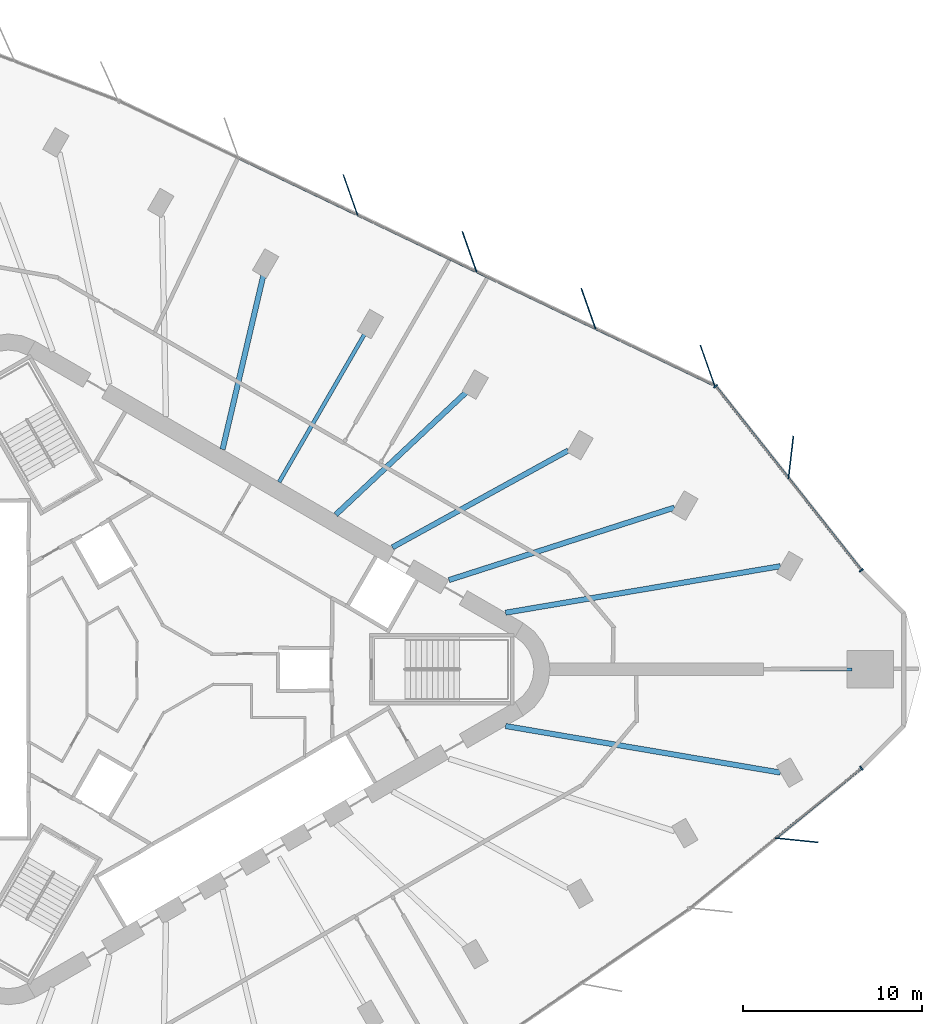
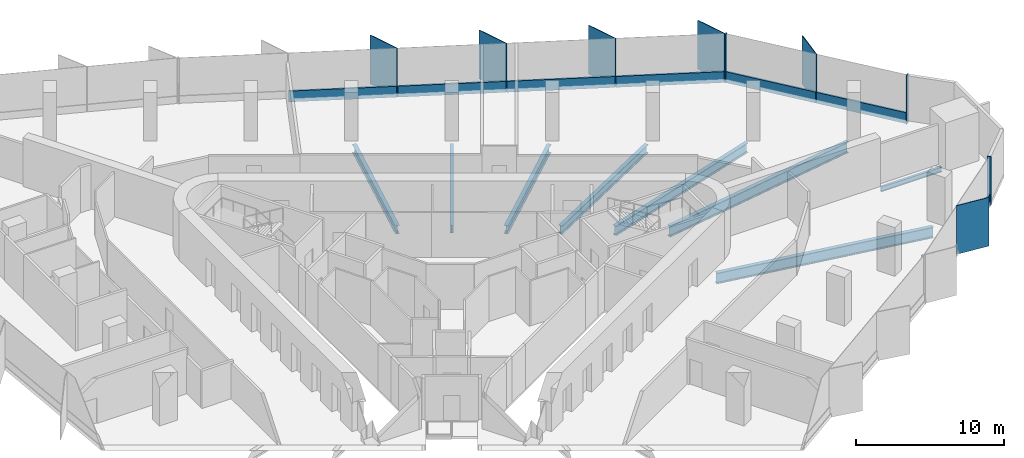
# One storey, part 5 of 13: 16 members, 8 beams, 3 elements without a shape of their own.
"""IFC4 building model written with IfcOpenShell, lengths in metres."""

from ifc_helpers import new_model, si_unit, direction, frame, origin, origin_2d, place, context, subcontext, project, spatial, rectangle, i_section, extrude, material, material_profile, profile_set, type_object, element, aggregate, save


model = new_model("IFC4")

# Units and contexts
model_context = context("Model", 3, precision=1e-05, world=origin(), true_north=direction((0.0, 1.0)))
body_context = subcontext(model_context, "Body", "Model", "MODEL_VIEW")
ifc_project = project(units=[si_unit("LENGTHUNIT", "METRE"), si_unit("AREAUNIT", "SQUARE_METRE"), si_unit("VOLUMEUNIT", "CUBIC_METRE"), si_unit("PLANEANGLEUNIT", "RADIAN"), si_unit("MASSUNIT", "GRAM", prefix="KILO")], contexts=[model_context])

# Site, building, storey
site_placement = place(None, origin())
site = spatial("IfcSite", under=ifc_project, at=site_placement, CompositionType="ELEMENT")
building_placement = place(site_placement, origin())
building = spatial("IfcBuilding", under=site, at=building_placement, Name="Tanit Gate Tower", CompositionType="ELEMENT")
storey_placement = place(building_placement, frame((0.0, 0.0, 193.199951171875)))
storey = spatial("IfcBuildingStorey", under=building, at=storey_placement, Name="L42", CompositionType="ELEMENT", Elevation=193.199951171875)

# Curtain wall, member
ifc_material_1 = material(Name="Aluminium bronze anodised and glass", Category="aluminium")
curtain_wall_type = type_object("IfcCurtainWallType", Name="Curtain wall typical mid", PredefinedType="NOTDEFINED", material=ifc_material_1)
curtain_wall_1_placement = place(storey_placement, origin())
curtain_wall_1 = element("IfcCurtainWall", 1, at=curtain_wall_1_placement, inside=storey, type_object=curtain_wall_type, Name="Curtain wall L42 NE1", PredefinedType="NOTDEFINED")
ifc_material_2 = material(Name="Aluminium bronze anodised", Category="aluminium")
ifc_material_profile_1 = material_profile(ifc_material_2, rectangle(XDim=2.39990234375, YDim=0.055908203125, at=origin_2d()), Name="56x2400 bronze fin mullion")
ifc_profile_set_1 = profile_set([ifc_material_profile_1], Name="Aluminium bronze anodised")
member_type_1 = type_object("IfcMemberType", Name="FIN MULLION 56x2400 bronze", PredefinedType="MULLION", material=ifc_profile_set_1)
member_1_placement = place(storey_placement, frame((34.67626953125, 11.859619140625, -0.300048828125), z_axis=(0.0, 0.0, 1.0), x_axis=(-0.115536669709, -0.993303215515, 0.0)))
member_1 = element("IfcMember", 2, at=member_1_placement, type_object=member_type_1, Name="Fin mullion L42 NE1.2", PredefinedType="MULLION", context=body_context, shape_type="SweptSolid", body=[
    extrude(rectangle(XDim=2.39990234375, YDim=0.055908203125, at=origin_2d()), origin(), (0.0, 0.0, 1.0), 4.0),
])

# Curtain wall, members
curtain_wall_2_placement = place(storey_placement, origin())
curtain_wall_2 = element("IfcCurtainWall", 3, at=curtain_wall_2_placement, inside=storey, type_object=curtain_wall_type, Name="Curtain wall L42 NE2", PredefinedType="NOTDEFINED")
member_2_placement = place(storey_placement, frame((30.011962890625, 16.995849609375, -0.300048828125), z_axis=(0.0, 0.0, 1.0), x_axis=(0.333220063881, -0.942849080727, 0.0)))
member_2 = element("IfcMember", 4, at=member_2_placement, type_object=member_type_1, Name="Fin mullion L42 NE2.1", PredefinedType="MULLION", context=body_context, shape_type="SweptSolid", body=[
    extrude(rectangle(XDim=2.39990234375, YDim=0.055908203125, at=origin_2d()), origin(), (0.0, 0.0, 1.0), 4.0),
])
member_3_placement = place(storey_placement, frame((23.353759765625, 20.1767578125, -0.300048828125), z_axis=(0.0, 0.0, 1.0), x_axis=(0.333220063881, -0.942849080727, 0.0)))
member_3 = element("IfcMember", 5, at=member_3_placement, type_object=member_type_1, Name="Fin mullion L42 NE2.2", PredefinedType="MULLION", context=body_context, shape_type="SweptSolid", body=[
    extrude(rectangle(XDim=2.39990234375, YDim=0.055908203125, at=origin_2d()), origin(), (0.0, 0.0, 1.0), 4.0),
])
member_4_placement = place(storey_placement, frame((16.69580078125, 23.357421875, -0.300048828125), z_axis=(0.0, 0.0, 1.0), x_axis=(0.333220063881, -0.942849080727, 0.0)))
member_4 = element("IfcMember", 6, at=member_4_placement, type_object=member_type_1, Name="Fin mullion L42 NE2.3", PredefinedType="MULLION", context=body_context, shape_type="SweptSolid", body=[
    extrude(rectangle(XDim=2.39990234375, YDim=0.055908203125, at=origin_2d()), origin(), (0.0, 0.0, 1.0), 4.0),
])
member_5_placement = place(storey_placement, frame((10.037841796875, 26.538330078125, -0.300048828125), z_axis=(0.0, 0.0, 1.0), x_axis=(0.333220063881, -0.942849080727, 0.0)))
member_5 = element("IfcMember", 7, at=member_5_placement, type_object=member_type_1, Name="Fin mullion L42 NE2.4", PredefinedType="MULLION", context=body_context, shape_type="SweptSolid", body=[
    extrude(rectangle(XDim=2.39990234375, YDim=0.055908203125, at=origin_2d()), origin(), (0.0, 0.0, 1.0), 4.0),
])

# Curtain wall, member
curtain_wall_3_placement = place(storey_placement, origin())
curtain_wall_3 = element("IfcCurtainWall", 8, at=curtain_wall_3_placement, inside=storey, type_object=curtain_wall_type, Name="Curtain wall L42 SE3", PredefinedType="NOTDEFINED")
member_6_placement = place(storey_placement, frame((34.999755859375, -9.555419921875, -0.300048828125), z_axis=(0.0, 0.0, 1.0), x_axis=(-0.994923483617, 0.10063429707, 0.0)))
member_6 = element("IfcMember", 9, at=member_6_placement, type_object=member_type_1, Name="Fin mullion L42 SE3.2", PredefinedType="MULLION", context=body_context, shape_type="SweptSolid", body=[
    extrude(rectangle(XDim=2.39990234375, YDim=0.055908203125, at=origin_2d()), origin(), (0.0, 0.0, 1.0), 4.0),
])

# Member
ifc_material_3 = material(Name="Aluminium bronze anodised", Category="aluminium")
ifc_material_profile_2 = material_profile(ifc_material_3, rectangle(XDim=0.260009765625, YDim=0.080078125, at=origin_2d()), Name="80x260 bronze mullion")
ifc_profile_set_2 = profile_set([ifc_material_profile_2], Name="Aluminium bronze anodised")
member_type_2 = type_object("IfcMemberType", Name="Mullion 80x260 typical mid", PredefinedType="MULLION", material=ifc_profile_set_2)
member_7_placement = place(storey_placement, frame((38.61474609375, 5.54150390625, -0.300048828125), z_axis=(0.0, 0.0, 1.0), x_axis=(-0.784068202092, -0.620674676838, 0.0)))
member_7 = element("IfcMember", 10, at=member_7_placement, type_object=member_type_2, Name="Mullion L42 NE1.1", PredefinedType="MULLION", context=body_context, shape_type="SweptSolid", body=[
    extrude(rectangle(XDim=0.260009765625, YDim=0.080078125, at=origin_2d()), origin(), (0.0, 0.0, 1.0), 4.0),
])

member_8_placement = place(storey_placement, frame((30.465576171875, 15.8359375, -0.300048828125), z_axis=(0.0, 0.0, 1.0), x_axis=(-0.784068202092, -0.620674676838, 0.0)))
member_8 = element("IfcMember", 11, at=member_8_placement, type_object=member_type_2, Name="Mullion L42 NE1.3", PredefinedType="MULLION", context=body_context, shape_type="SweptSolid", body=[
    extrude(rectangle(XDim=0.260009765625, YDim=0.080078125, at=origin_2d()), origin(), (0.0, 0.0, 1.0), 4.0),
])

member_9_placement = place(storey_placement, frame((38.61767578125, -5.5263671875, -0.300048828125), z_axis=(0.0, 0.0, 1.0), x_axis=(-0.63235794815, 0.774676335905, 0.0)))
member_9 = element("IfcMember", 12, at=member_9_placement, type_object=member_type_2, Name="Mullion L42 SE3.3", PredefinedType="MULLION", context=body_context, shape_type="SweptSolid", body=[
    extrude(rectangle(XDim=0.260009765625, YDim=0.080078125, at=origin_2d()), origin(), (0.0, 0.0, 1.0), 4.0),
])

# Beams
ifc_material_4 = material(Name="Steel S355", Category="steel")
ifc_material_profile_3 = material_profile(ifc_material_4, i_section(OverallWidth=0.300048828125, OverallDepth=0.68994140625, WebThickness=0.014404296875, FlangeThickness=0.027099609375, FilletRadius=0.027099609375, at=origin_2d()), Name="HEA 700")
ifc_profile_set_3 = profile_set([ifc_material_profile_3], Name="Steel S355")
beam_type_1 = type_object("IfcBeamType", Name="RADIAL GIRDER HEA 700 S355", PredefinedType="BEAM", material=ifc_profile_set_3)
beam_1_placement = place(storey_placement, frame((22.21875, 12.245849609375, -0.64501953125), z_axis=(-0.875791934308, -0.482688810519, 0.0), x_axis=(0.482688810519, -0.875791934308, 0.0)))
element("IfcBeam", 13, at=beam_1_placement, inside=storey, type_object=beam_type_1, Name="RADIAL GIRDER", PredefinedType="BEAM", context=body_context, shape_type="SweptSolid", body=[
    extrude(i_section(OverallWidth=0.300048828125, OverallDepth=0.68994140625, WebThickness=0.014404296875, FlangeThickness=0.027099609375, FilletRadius=0.027099609375, at=origin_2d()), origin(), (0.0, 0.0, 1.0), 11.230712890625),
])
for number, where, z_axis, x_axis, name in (
    (14, (16.5380859375, 15.525634765625, -0.64501953125), (-0.72907377567, -0.684435117181, 0.0), (0.684435117181, -0.72907377567, 0.0), "RADIAL GIRDER"),
    (15, (5.176513671875, 22.085205078125, -0.64501953125), (-0.228201765942, -0.973613862895, 0.0), (0.973613862895, -0.228201765942, 0.0), "RADIAL GIRDER"),
):
    element("IfcBeam", number, at=place(storey_placement, frame(where, z_axis=z_axis, x_axis=x_axis)), inside=storey, type_object=beam_type_1, Name=name, PredefinedType="BEAM", context=body_context, shape_type="SweptSolid", body=[
        extrude(i_section(OverallWidth=0.300048828125, OverallDepth=0.68994140625, WebThickness=0.014404296875, FlangeThickness=0.027099609375, FilletRadius=0.027099609375, at=origin_2d()), origin(), (0.0, 0.0, 1.0), 10.04150390625),
    ])
ifc_material_5 = material(Name="Steel S355", Category="steel")
ifc_material_profile_4 = material_profile(ifc_material_5, i_section(OverallWidth=0.300048828125, OverallDepth=0.7900390625, WebThickness=0.014892578125, FlangeThickness=0.028076171875, FilletRadius=0.030029296875, at=origin_2d()), Name="HEA 800")
ifc_profile_set_4 = profile_set([ifc_material_profile_4], Name="Steel S355")
beam_type_2 = type_object("IfcBeamType", Name="RADIAL GIRDER HEA 800 S355", PredefinedType="BEAM", material=ifc_profile_set_4)
beam_2_placement = place(storey_placement, frame((28.160888671875, 9.05029296875, -0.695068359375), z_axis=(-0.952041216239, -0.305969806651, 0.0), x_axis=(0.305969806651, -0.952041216239, 0.0)))
element("IfcBeam", 16, at=beam_2_placement, inside=storey, type_object=beam_type_2, Name="RADIAL GIRDER", PredefinedType="BEAM", context=body_context, shape_type="SweptSolid", body=[
    extrude(i_section(OverallWidth=0.300048828125, OverallDepth=0.7900390625, WebThickness=0.014892578125, FlangeThickness=0.028076171875, FilletRadius=0.030029296875, at=origin_2d()), origin(), (0.0, 0.0, 1.0), 13.2470703125),
])
ifc_material_6 = material(Name="Steel S355", Category="steel")
ifc_material_profile_5 = material_profile(ifc_material_6, i_section(OverallWidth=0.300048828125, OverallDepth=0.889892578125, WebThickness=0.01611328125, FlangeThickness=0.030029296875, FilletRadius=0.030029296875, at=origin_2d()), Name="HEA 900")
ifc_profile_set_5 = profile_set([ifc_material_profile_5], Name="Steel S355")
beam_type_3 = type_object("IfcBeamType", Name="RADIAL GIRDER HEA 900 S355", PredefinedType="BEAM", material=ifc_profile_set_5)
for number, where, z_axis, x_axis, name in (
    (17, (34.0869140625, -5.772216796875, -0.744873046875), (-0.985963996178, 0.1669580733, 0.0), (-0.1669580733, -0.985963996178, 0.0), "RADIAL GIRDER"),
    (18, (34.0869140625, 5.772216796875, -0.744873046875), (-0.985963996178, -0.1669580733, 0.0), (0.1669580733, -0.985963996178, 0.0), "RADIAL GIRDER"),
):
    element("IfcBeam", number, at=place(storey_placement, frame(where, z_axis=z_axis, x_axis=x_axis)), inside=storey, type_object=beam_type_3, Name=name, PredefinedType="BEAM", context=body_context, shape_type="SweptSolid", body=[
        extrude(i_section(OverallWidth=0.300048828125, OverallDepth=0.889892578125, WebThickness=0.01611328125, FlangeThickness=0.030029296875, FilletRadius=0.030029296875, at=origin_2d()), origin(), (0.0, 0.0, 1.0), 15.5908203125),
    ])
ifc_material_7 = material(Name="Steel S355", Category="steel")
ifc_material_profile_6 = material_profile(ifc_material_7, i_section(OverallWidth=0.179931640625, OverallDepth=0.39990234375, WebThickness=0.008544921875, FlangeThickness=0.013427734375, FilletRadius=0.02099609375, at=origin_2d()), Name="IPE 400")
ifc_profile_set_6 = profile_set([ifc_material_profile_6], Name="Steel S355")
beam_type_4 = type_object("IfcBeamType", Name="RADIAL GIRDER IPE 400 S355", PredefinedType="BEAM", material=ifc_profile_set_6)
beam_3_placement = place(storey_placement, frame((38.102294921875, 0.0, -0.5), z_axis=(-1.0, 0.0, 0.0), x_axis=(0.0, -1.0, 0.0)))
element("IfcBeam", 19, at=beam_3_placement, inside=storey, type_object=beam_type_4, Name="RADIAL GIRDER", PredefinedType="BEAM", context=body_context, shape_type="SweptSolid", body=[
    extrude(i_section(OverallWidth=0.179931640625, OverallDepth=0.39990234375, WebThickness=0.008544921875, FlangeThickness=0.013427734375, FilletRadius=0.02099609375, at=origin_2d()), origin(), (0.0, 0.0, 1.0), 4.732666015625),
])
ifc_material_8 = material(Name="Steel S355", Category="steel")
ifc_material_profile_7 = material_profile(ifc_material_8, i_section(OverallWidth=0.219970703125, OverallDepth=0.60009765625, WebThickness=0.011962890625, FlangeThickness=0.01904296875, FilletRadius=0.02392578125, at=origin_2d()), Name="IPE 600")
ifc_profile_set_7 = profile_set([ifc_material_profile_7], Name="Steel S355")
beam_type_5 = type_object("IfcBeamType", Name="RADIAL GIRDER IPE 600 S355", PredefinedType="BEAM", material=ifc_profile_set_7)
beam_4_placement = place(storey_placement, frame((10.857421875, 18.805419921875, -0.599853515625), z_axis=(-0.500009724617, -0.866019789201, 0.0), x_axis=(0.866019789201, -0.500009724617, 0.0)))
element("IfcBeam", 20, at=beam_4_placement, inside=storey, type_object=beam_type_5, Name="RADIAL GIRDER", PredefinedType="BEAM", context=body_context, shape_type="SweptSolid", body=[
    extrude(i_section(OverallWidth=0.219970703125, OverallDepth=0.60009765625, WebThickness=0.011962890625, FlangeThickness=0.01904296875, FilletRadius=0.02392578125, at=origin_2d()), origin(), (0.0, 0.0, 1.0), 9.612548828125),
])

# Member
ifc_material_9 = material(Name="Aluminium bronze anodised", Category="aluminium")
ifc_material_profile_8 = material_profile(ifc_material_9, rectangle(XDim=0.139892578125, YDim=0.89990234375, at=origin_2d()), Name="140x900 bronze transom")
ifc_profile_set_8 = profile_set([ifc_material_profile_8], Name="Aluminium bronze anodised")
member_type_3 = type_object("IfcMemberType", Name="Transom 140x900 typical mid", PredefinedType="USERDEFINED", material=ifc_profile_set_8)
member_10_placement = place(storey_placement, frame((38.58984375, 5.572998046875, 0.150146484375), z_axis=(-0.620674014427, 0.784068726462, 0.0), x_axis=(-0.784068726462, -0.620674014427, 0.0)))
member_10 = element("IfcMember", 21, at=member_10_placement, type_object=member_type_3, Name="Transom L42 NE1.1", ObjectType="TRANSOM", PredefinedType="USERDEFINED", context=body_context, shape_type="SweptSolid", body=[
    extrude(rectangle(XDim=0.139892578125, YDim=0.89990234375, at=origin_2d()), origin(), (0.0, 0.0, 1.0), 6.484619140625),
])

member_11_placement = place(storey_placement, frame((34.515380859375, 10.72021484375, 0.150146484375), z_axis=(-0.620692336506, 0.784054222234, 0.0), x_axis=(-0.784054222234, -0.620692336506, 0.0)))
member_11 = element("IfcMember", 22, at=member_11_placement, type_object=member_type_3, Name="Transom L42 NE1.2", ObjectType="TRANSOM", PredefinedType="USERDEFINED", context=body_context, shape_type="SweptSolid", body=[
    extrude(rectangle(XDim=0.139892578125, YDim=0.89990234375, at=origin_2d()), origin(), (0.0, 0.0, 1.0), 6.484619140625),
])

aggregate(curtain_wall_1, [member_7, member_1, member_8, member_10, member_11])

member_12_placement = place(storey_placement, frame((30.36865234375, 15.901611328125, 0.150146484375), z_axis=(-0.902310754924, 0.431086188073, 0.0), x_axis=(-0.431086188073, -0.902310754924, 0.0)))
member_12 = element("IfcMember", 23, at=member_12_placement, type_object=member_type_3, Name="Transom L42 NE2.1", ObjectType="TRANSOM", PredefinedType="USERDEFINED", context=body_context, shape_type="SweptSolid", body=[
    extrude(rectangle(XDim=0.139892578125, YDim=0.89990234375, at=origin_2d()), origin(), (0.0, 0.0, 1.0), 7.299072265625),
])

member_13_placement = place(storey_placement, frame((23.71044921875, 19.08251953125, 0.150146484375), z_axis=(-0.902317549821, 0.431071965321, 0.0), x_axis=(-0.431071965321, -0.902317549821, 0.0)))
member_13 = element("IfcMember", 24, at=member_13_placement, type_object=member_type_3, Name="Transom L42 NE2.2", ObjectType="TRANSOM", PredefinedType="USERDEFINED", context=body_context, shape_type="SweptSolid", body=[
    extrude(rectangle(XDim=0.139892578125, YDim=0.89990234375, at=origin_2d()), origin(), (0.0, 0.0, 1.0), 7.298583984375),
])

member_14_placement = place(storey_placement, frame((17.052490234375, 22.263427734375, 0.150146484375), z_axis=(-0.902317549821, 0.431071965321, 0.0), x_axis=(-0.431071965321, -0.902317549821, 0.0)))
member_14 = element("IfcMember", 25, at=member_14_placement, type_object=member_type_3, Name="Transom L42 NE2.3", ObjectType="TRANSOM", PredefinedType="USERDEFINED", context=body_context, shape_type="SweptSolid", body=[
    extrude(rectangle(XDim=0.139892578125, YDim=0.89990234375, at=origin_2d()), origin(), (0.0, 0.0, 1.0), 7.298583984375),
])

member_15_placement = place(storey_placement, frame((10.39453125, 25.444091796875, 0.150146484375), z_axis=(-0.902323765346, 0.431058954775, 0.0), x_axis=(-0.431058954775, -0.902323765346, 0.0)))
member_15 = element("IfcMember", 26, at=member_15_placement, type_object=member_type_3, Name="Transom L42 NE2.4", ObjectType="TRANSOM", PredefinedType="USERDEFINED", context=body_context, shape_type="SweptSolid", body=[
    extrude(rectangle(XDim=0.139892578125, YDim=0.89990234375, at=origin_2d()), origin(), (0.0, 0.0, 1.0), 7.298828125),
])

aggregate(curtain_wall_2, [member_2, member_3, member_4, member_5, member_12, member_13, member_14, member_15])

member_16_placement = place(storey_placement, frame((33.85791015625, -9.41162109375, 0.150146484375), z_axis=(0.774669596995, 0.632366203629, 0.0), x_axis=(-0.632366203629, 0.774669596995, 0.0)))
member_16 = element("IfcMember", 27, at=member_16_placement, type_object=member_type_3, Name="Transom L42 SE3.2", ObjectType="TRANSOM", PredefinedType="USERDEFINED", context=body_context, shape_type="SweptSolid", body=[
    extrude(rectangle(XDim=0.139892578125, YDim=0.89990234375, at=origin_2d()), origin(), (0.0, 0.0, 1.0), 6.104248046875),
])

aggregate(curtain_wall_3, [member_6, member_9, member_16])

save(model, "model.ifc")
